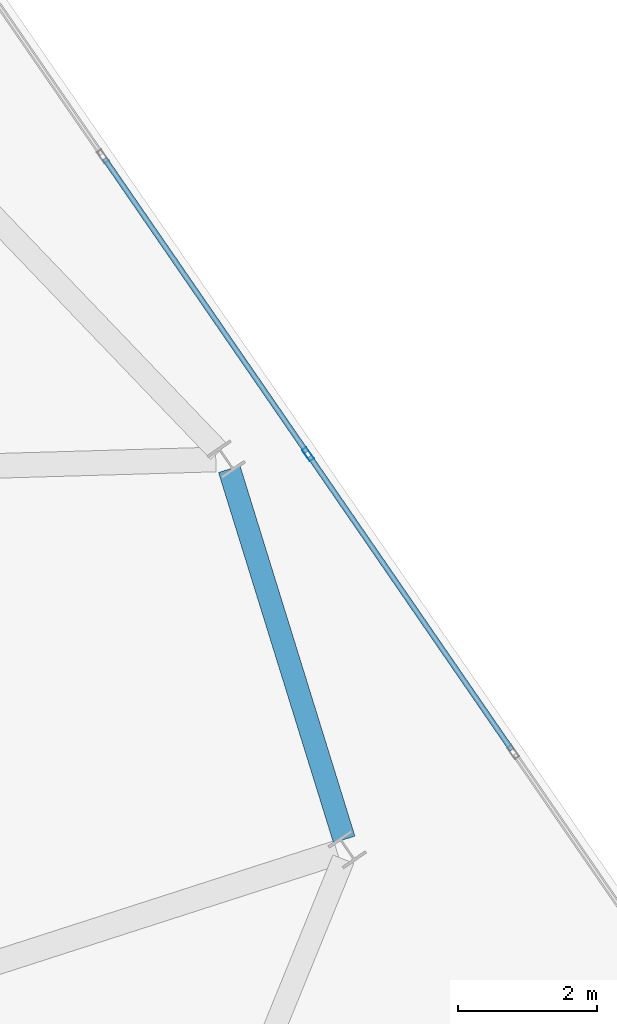
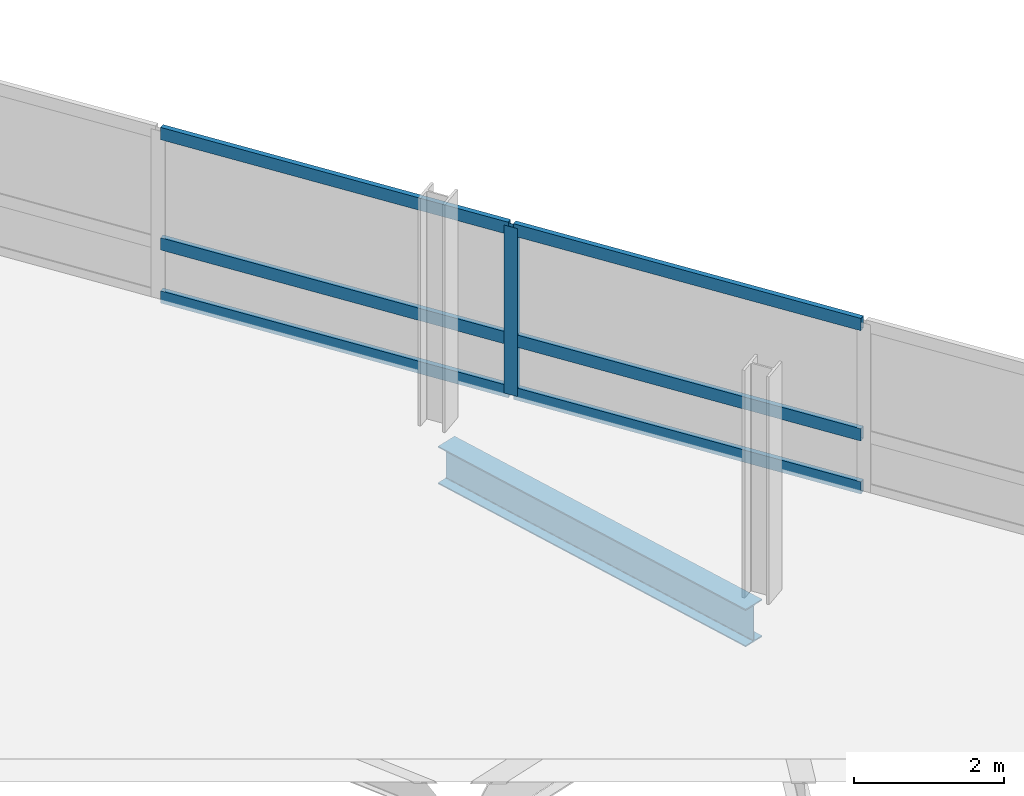
# One storey, part 12 of 22: 7 members, 1 beam, 1 element without a shape of its own.
"""IFC4 building model written with IfcOpenShell, lengths in metres."""

from ifc_helpers import new_model, si_unit, direction, frame, origin, origin_2d, place, context, subcontext, project, spatial, hollow_rectangle, i_section, extrude, material, layer, layer_set, material_profile, profile_set, type_object, element, aggregate, save


model = new_model("IFC4")

# Units and contexts
model_context = context("Model", 3, precision=1e-05, world=origin(), true_north=direction((0.0, 1.0)))
body_context = subcontext(model_context, "Body", "Model", "MODEL_VIEW")
ifc_project = project(units=[si_unit("LENGTHUNIT", "METRE"), si_unit("AREAUNIT", "SQUARE_METRE"), si_unit("VOLUMEUNIT", "CUBIC_METRE"), si_unit("PLANEANGLEUNIT", "RADIAN"), si_unit("MASSUNIT", "GRAM", prefix="KILO")], contexts=[model_context])

# Site, building, storey
site_placement = place(None, origin())
site = spatial("IfcSite", under=ifc_project, at=site_placement, CompositionType="ELEMENT")
building_placement = place(site_placement, origin())
building = spatial("IfcBuilding", under=site, at=building_placement, Name="Varnelok Gate Tower", CompositionType="ELEMENT")
storey_placement = place(building_placement, frame((0.0, 0.0, 284.10009765625)))
storey = spatial("IfcBuildingStorey", under=building, at=storey_placement, Name="L73", CompositionType="ELEMENT", Elevation=284.10009765625)

# Beam
ifc_material_1 = material(Name="Structural Steel ASTM A992 Grade 50", Category="steel")
ifc_material_profile_1 = material_profile(ifc_material_1, i_section(OverallWidth=0.323974609375, OverallDepth=0.611083984375, WebThickness=0.0126953125, FlangeThickness=0.01904296875, FilletRadius=0.01806640625, at=origin_2d()), Name="W24X104")
ifc_profile_set_1 = profile_set([ifc_material_profile_1], Name="Structural Steel ASTM A992 Grade 50")
beam_type = type_object("IfcBeamType", Name="BM-SPN-W24X104", PredefinedType="SPANDREL", material=ifc_profile_set_1)
beam_placement = place(storey_placement, frame((69.8125, 34.1748046875, -0.5556640625), z_axis=(-0.296340003452, 0.955082510757, 0.0), x_axis=(-0.955082510757, -0.296340003452, 0.0)))
element("IfcBeam", 1, at=beam_placement, inside=storey, type_object=beam_type, Name="L73 Perimeter Spandrel Beam 6", PredefinedType="SPANDREL", context=body_context, shape_type="SweptSolid", body=[
    extrude(i_section(OverallWidth=0.323974609375, OverallDepth=0.611083984375, WebThickness=0.0126953125, FlangeThickness=0.01904296875, FilletRadius=0.01806640625, at=origin_2d()), origin(), (0.0, 0.0, 1.0), 5.57666015625),
])

# Curtain wall, members
ifc_material_2 = material(Name="Anodized Aluminum Alloy 6063-T6", Category="aluminium")
ifc_layer = layer(ifc_material_2, 0.179931640625)
ifc_layer_set = layer_set([ifc_layer], Name="Anodized Aluminum Alloy 6063-T6")
curtain_wall_type = type_object("IfcCurtainWallType", Name="CW6-CROWN-LOOKOUT", PredefinedType="USERDEFINED", material=ifc_layer_set)
curtain_wall_placement = place(storey_placement, origin())
curtain_wall = element("IfcCurtainWall", 2, at=curtain_wall_placement, inside=storey, type_object=curtain_wall_type, Name="L73 East End Vision Curtain Wall", ObjectType="STRUCTURAL GLAZING", PredefinedType="USERDEFINED")
ifc_material_profile_2 = material_profile(ifc_material_2, hollow_rectangle(XDim=0.074951171875, YDim=0.199951171875, WallThickness=0.00390625, at=origin_2d()), Name="ALU200X75X4")
ifc_profile_set_2 = profile_set([ifc_material_profile_2], Name="Anodized Aluminum Alloy 6063-T6")
member_type_1 = type_object("IfcMemberType", Name="CW-MULL-200", PredefinedType="MULLION", material=ifc_profile_set_2)
member_1_placement = place(storey_placement, frame((69.29345703125, 39.71484375, 0.0), z_axis=(0.0, 0.0, 1.0), x_axis=(0.823532290241, 0.567269395376, 0.0)))
member_1 = element("IfcMember", 3, at=member_1_placement, type_object=member_type_1, Name="CW6 mullion 5", PredefinedType="MULLION", context=body_context, shape_type="SweptSolid", body=[
    extrude(hollow_rectangle(XDim=0.074951171875, YDim=0.199951171875, WallThickness=0.00390625, at=origin_2d()), origin(), (0.0, 0.0, 1.0), 2.72998046875),
])
ifc_material_profile_3 = material_profile(ifc_material_2, hollow_rectangle(XDim=0.074951171875, YDim=0.199951171875, WallThickness=0.00390625, at=origin_2d()), Name="ALU200X75X4")
ifc_profile_set_3 = profile_set([ifc_material_profile_3], Name="Anodized Aluminum Alloy 6063-T6")
member_type_2 = type_object("IfcMemberType", Name="CW-TRAN-200", PredefinedType="USERDEFINED", material=ifc_profile_set_3)
member_2_placement = place(storey_placement, frame((66.364990234375, 43.96630859375, 0.037353515625), z_axis=(0.567256418128, -0.82354122914, 0.0), x_axis=(0.82354122914, 0.567256418128, 0.0)))
member_2 = element("IfcMember", 4, at=member_2_placement, type_object=member_type_2, Name="CW6 transom 4.1", ObjectType="TRANSOM", PredefinedType="USERDEFINED", context=body_context, shape_type="SweptSolid", body=[
    extrude(hollow_rectangle(XDim=0.074951171875, YDim=0.199951171875, WallThickness=0.00390625, at=origin_2d()), origin(), (0.0, 0.0, 1.0), 5.125),
])
member_3_placement = place(storey_placement, frame((66.364990234375, 43.96630859375, 0.89990234375), z_axis=(0.567256418128, -0.82354122914, 0.0), x_axis=(0.82354122914, 0.567256418128, 0.0)))
member_3 = element("IfcMember", 5, at=member_3_placement, type_object=member_type_2, Name="CW6 transom 4.2", ObjectType="TRANSOM", PredefinedType="USERDEFINED", context=body_context, shape_type="SweptSolid", body=[
    extrude(hollow_rectangle(XDim=0.074951171875, YDim=0.199951171875, WallThickness=0.00390625, at=origin_2d()), origin(), (0.0, 0.0, 1.0), 5.125),
])
member_4_placement = place(storey_placement, frame((66.364990234375, 43.96630859375, 2.6923828125), z_axis=(0.567256418128, -0.82354122914, 0.0), x_axis=(0.82354122914, 0.567256418128, 0.0)))
member_4 = element("IfcMember", 6, at=member_4_placement, type_object=member_type_2, Name="CW6 transom 4.3", ObjectType="TRANSOM", PredefinedType="USERDEFINED", context=body_context, shape_type="SweptSolid", body=[
    extrude(hollow_rectangle(XDim=0.074951171875, YDim=0.199951171875, WallThickness=0.00390625, at=origin_2d()), origin(), (0.0, 0.0, 1.0), 5.125),
])
member_5_placement = place(storey_placement, frame((69.314697265625, 39.683837890625, 0.037353515625), z_axis=(0.567278672654, -0.823525899746, 0.0), x_axis=(0.823525899746, 0.567278672654, 0.0)))
member_5 = element("IfcMember", 7, at=member_5_placement, type_object=member_type_2, Name="CW6 transom 5.1", ObjectType="TRANSOM", PredefinedType="USERDEFINED", context=body_context, shape_type="SweptSolid", body=[
    extrude(hollow_rectangle(XDim=0.074951171875, YDim=0.199951171875, WallThickness=0.00390625, at=origin_2d()), origin(), (0.0, 0.0, 1.0), 5.124755859375),
])
member_6_placement = place(storey_placement, frame((69.314697265625, 39.683837890625, 0.89990234375), z_axis=(0.567278672654, -0.823525899746, 0.0), x_axis=(0.823525899746, 0.567278672654, 0.0)))
member_6 = element("IfcMember", 8, at=member_6_placement, type_object=member_type_2, Name="CW6 transom 5.2", ObjectType="TRANSOM", PredefinedType="USERDEFINED", context=body_context, shape_type="SweptSolid", body=[
    extrude(hollow_rectangle(XDim=0.074951171875, YDim=0.199951171875, WallThickness=0.00390625, at=origin_2d()), origin(), (0.0, 0.0, 1.0), 5.124755859375),
])
member_7_placement = place(storey_placement, frame((69.314697265625, 39.683837890625, 2.6923828125), z_axis=(0.567278672654, -0.823525899746, 0.0), x_axis=(0.823525899746, 0.567278672654, 0.0)))
member_7 = element("IfcMember", 9, at=member_7_placement, type_object=member_type_2, Name="CW6 transom 5.3", ObjectType="TRANSOM", PredefinedType="USERDEFINED", context=body_context, shape_type="SweptSolid", body=[
    extrude(hollow_rectangle(XDim=0.074951171875, YDim=0.199951171875, WallThickness=0.00390625, at=origin_2d()), origin(), (0.0, 0.0, 1.0), 5.124755859375),
])
aggregate(curtain_wall, [member_1, member_2, member_3, member_4, member_5, member_6, member_7])

save(model, "model.ifc")
